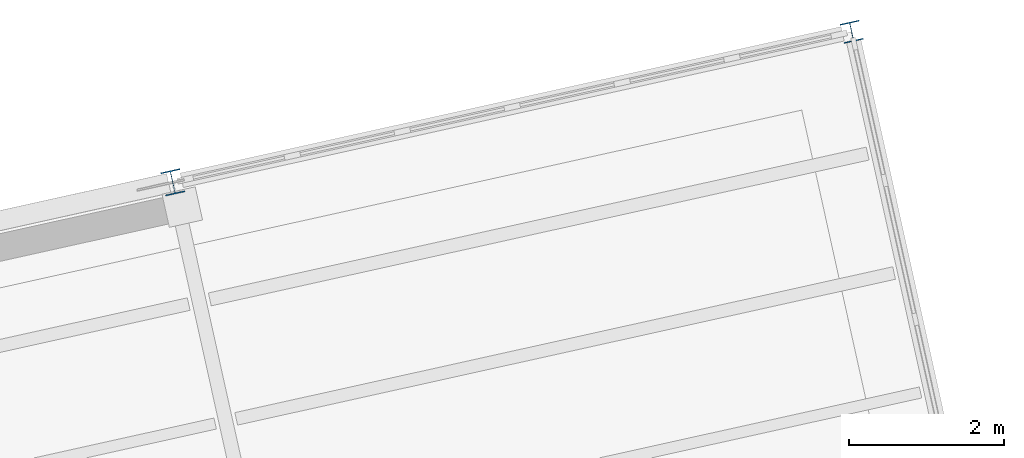
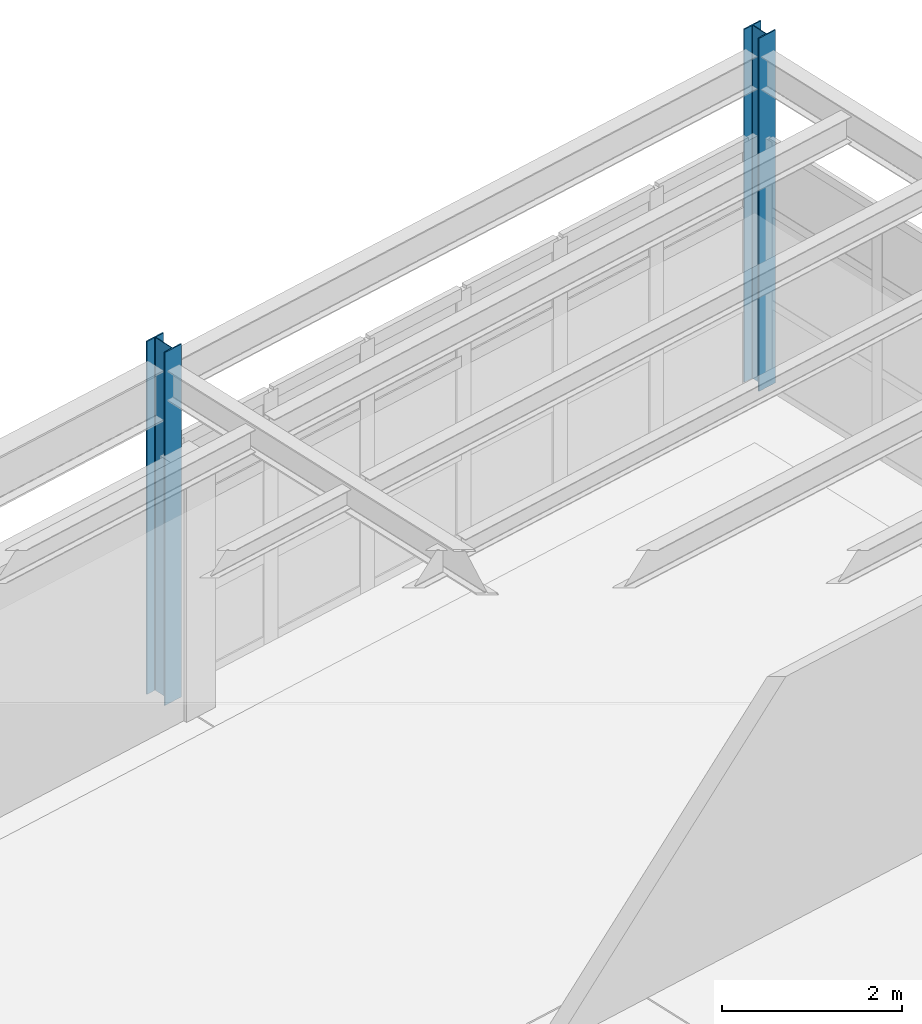
# One storey, part 17 of 102: 2 columns.
"""IFC4 building model written with IfcOpenShell, lengths in metres."""

from ifc_helpers import new_model, si_unit, direction, frame, origin, origin_2d, place, context, subcontext, project, spatial, i_section, extrude, material, material_profile, profile_set, type_object, element, save


model = new_model("IFC4")

# Units and contexts
model_context = context("Model", 3, precision=1e-05, world=origin(), true_north=direction((0.0, 1.0)))
body_context = subcontext(model_context, "Body", "Model", "MODEL_VIEW")
ifc_project = project(units=[si_unit("LENGTHUNIT", "METRE"), si_unit("AREAUNIT", "SQUARE_METRE"), si_unit("VOLUMEUNIT", "CUBIC_METRE"), si_unit("PLANEANGLEUNIT", "RADIAN"), si_unit("MASSUNIT", "GRAM", prefix="KILO")], contexts=[model_context])

# Site, building, storey
site_placement = place(None, origin())
site = spatial("IfcSite", under=ifc_project, at=site_placement, CompositionType="ELEMENT")
building_placement = place(site_placement, origin())
building = spatial("IfcBuilding", under=site, at=building_placement, Name="Vireo Bluff Cable Station", CompositionType="ELEMENT")
storey_placement = place(building_placement, frame((0.0, 0.0, 9.60009765625)))
storey = spatial("IfcBuildingStorey", under=building, at=storey_placement, Name="L02", CompositionType="ELEMENT", Elevation=9.60009765625)

# Columns
ifc_material = material(Name="Steel ASTM A992 Gr. 50", Category="steel")
ifc_material_profile_1 = material_profile(ifc_material, i_section(OverallWidth=0.2548828125, OverallDepth=0.256103515625, WebThickness=0.009521484375, FlangeThickness=0.015625, FilletRadius=0.009033203125, at=origin_2d()), Name="W10X54")
ifc_profile_set_1 = profile_set([ifc_material_profile_1], Name="Steel ASTM A992 Gr. 50")
column_type_1 = type_object("IfcColumnType", Name="PIL-W10X54", PredefinedType="PILASTER", material=ifc_profile_set_1)
column_1_placement = place(storey_placement, frame((154.97802734375, 109.6162109375, 0.0), z_axis=(0.0, 0.0, 1.0), x_axis=(0.97629600712, 0.216439613938, 0.0)))
element("IfcColumn", 1, at=column_1_placement, inside=storey, type_object=column_type_1, Name="V2 L02 column 193", PredefinedType="PILASTER", context=body_context, shape_type="SweptSolid", body=[
    extrude(i_section(OverallWidth=0.2548828125, OverallDepth=0.256103515625, WebThickness=0.009521484375, FlangeThickness=0.015625, FilletRadius=0.009033203125, at=origin_2d()), origin(), (0.0, 0.0, 1.0), 4.7998046875),
])
ifc_material_profile_2 = material_profile(ifc_material, i_section(OverallWidth=0.25390625, OverallDepth=0.31005859375, WebThickness=0.009033203125, FlangeThickness=0.016357421875, FilletRadius=0.010986328125, at=origin_2d()), Name="W12X58")
ifc_profile_set_2 = profile_set([ifc_material_profile_2], Name="Steel ASTM A992 Gr. 50")
column_type_2 = type_object("IfcColumnType", Name="PIL-W12X58", PredefinedType="PILASTER", material=ifc_profile_set_2)
column_2_placement = place(storey_placement, frame((146.19140625, 107.668212890625, 0.0), z_axis=(0.0, 0.0, 1.0), x_axis=(0.97629600712, 0.216439613938, 0.0)))
element("IfcColumn", 2, at=column_2_placement, inside=storey, type_object=column_type_2, Name="V2 L02 column 178", PredefinedType="PILASTER", context=body_context, shape_type="SweptSolid", body=[
    extrude(i_section(OverallWidth=0.25390625, OverallDepth=0.31005859375, WebThickness=0.009033203125, FlangeThickness=0.016357421875, FilletRadius=0.010986328125, at=origin_2d()), origin(), (0.0, 0.0, 1.0), 4.7998046875),
])

save(model, "model.ifc")
